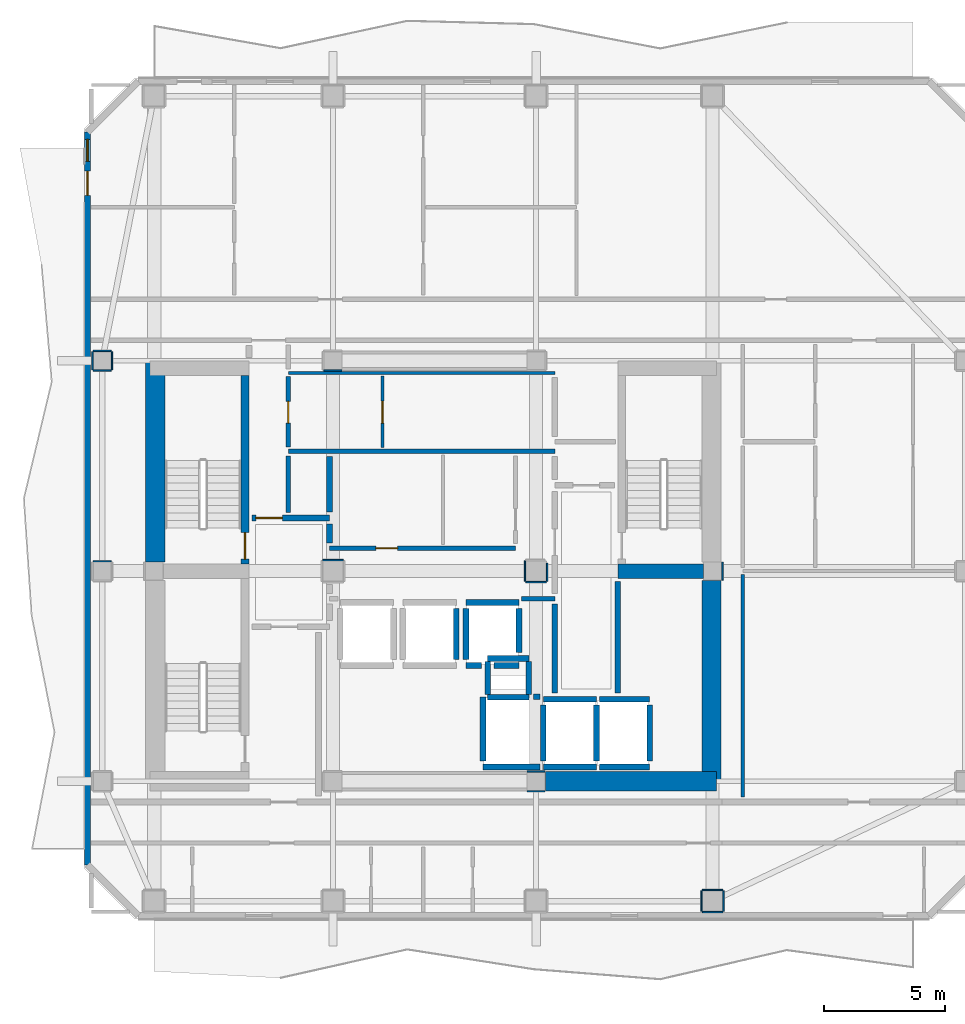
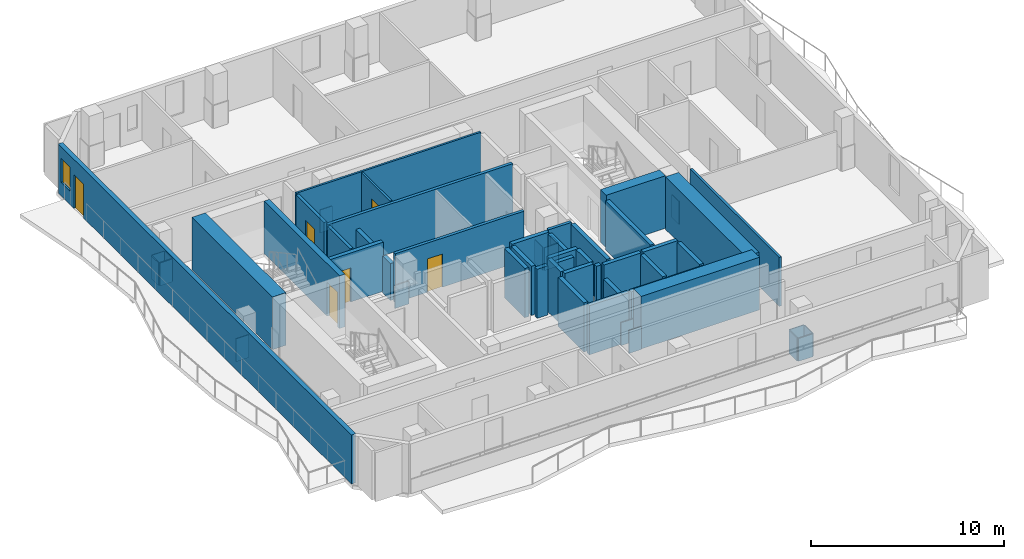
# One storey, part 3 of 9: 56 walls, 6 doors, 1 window, 7 openings.
"""IFC4 building model written with IfcOpenShell, lengths in metres."""

from ifc_helpers import new_model, si_unit, direction, frame, frame_2d, origin, place, context, subcontext, project, spatial, rectangle, extrude, material, layer, layer_set, type_object, element, fill, save


model = new_model("IFC4")

# Units and contexts
model_context = context("Model", 3, precision=1e-05, world=origin(), true_north=direction((0.0, 1.0)))
body_context = subcontext(model_context, "Body", "Model", "MODEL_VIEW")
ifc_project = project(units=[si_unit("LENGTHUNIT", "METRE"), si_unit("AREAUNIT", "SQUARE_METRE"), si_unit("VOLUMEUNIT", "CUBIC_METRE"), si_unit("PLANEANGLEUNIT", "RADIAN"), si_unit("MASSUNIT", "GRAM", prefix="KILO")], contexts=[model_context])

# Site, building, storey
site_placement = place(None, origin())
site = spatial("IfcSite", under=ifc_project, at=site_placement, CompositionType="ELEMENT")
building_placement = place(site_placement, origin())
building = spatial("IfcBuilding", under=site, at=building_placement, Name="Solanera Arch Residences", CompositionType="ELEMENT")
storey_placement = place(building_placement, frame((0.0, 0.0, 237.919921875)))
storey = spatial("IfcBuildingStorey", under=building, at=storey_placement, Name="L69", CompositionType="ELEMENT", Elevation=237.919921875)

# Walls
ifc_material_1 = material(Name="Fire-Rated Gypsum Stud Partition", Category="gypsum")
ifc_layer_1 = layer(ifc_material_1, 0.06005859375)
ifc_layer_set_1 = layer_set([ifc_layer_1], Name="Fire-Rated Gypsum Stud Partition")
wall_type_1 = type_object("IfcWallType", Name="Column Acoustic Furring Wall 60", PredefinedType="PARTITIONING", material=ifc_layer_set_1)
for number, where, z_axis, x_axis, name in (
    (1, (28.8330078125, 21.593017578125, 0.0), (0.0, 0.0, 1.0), (1.0, 0.0, 0.0), "L69 Column Furring 2S"),
    (2, (28.8330078125, 22.406982421875, 0.0), (0.0, 0.0, 1.0), (1.0, 0.0, 0.0), "L69 Column Furring 2N"),
):
    element("IfcWall", number, at=place(storey_placement, frame(where, z_axis=z_axis, x_axis=x_axis)), inside=storey, type_object=wall_type_1, Name=name, PredefinedType="PARTITIONING", context=body_context, shape_type="SweptSolid", body=[
        extrude(rectangle(XDim=0.73388671875, YDim=0.06005859375, at=frame_2d((0.366943359375, 0.0))), origin(), (0.0, 0.0, 1.0), 1.4501953125),
    ])
wall_1_placement = place(storey_placement, frame((20.425048828125, 38.992919921875, 0.0), z_axis=(0.0, 0.0, 1.0), x_axis=(1.0, 0.0, 0.0)))
element("IfcWall", 3, at=wall_1_placement, inside=storey, type_object=wall_type_1, Name="L69 Column Furring 3S", PredefinedType="PARTITIONING", context=body_context, shape_type="SweptSolid", body=[
    extrude(rectangle(XDim=0.741943359375, YDim=0.06005859375, at=frame_2d((0.37109375, 0.0))), origin(), (0.0, 0.0, 1.0), 1.4501953125),
])
wall_2_placement = place(storey_placement, frame((36.906982421875, 30.324951171875, 0.0), z_axis=(0.0, 0.0, 1.0), x_axis=(0.0, 1.0, 0.0)))
element("IfcWall", 4, at=wall_2_placement, inside=storey, type_object=wall_type_1, Name="L69 Column Furring 6E", PredefinedType="PARTITIONING", context=body_context, shape_type="SweptSolid", body=[
    extrude(rectangle(XDim=0.75, YDim=0.06005859375, at=frame_2d((0.375, 0.0))), origin(), (0.0, 0.0, 1.0), 1.4501953125),
])
for number, where, z_axis, x_axis, name in (
    (5, (20.375, 31.156982421875, 0.0), (0.0, 0.0, 1.0), (1.0, 0.0, 0.0), "L69 Column Furring 7N"),
    (6, (28.77490234375, 30.242919921875, 0.0), (0.0, 0.0, 1.0), (1.0, 0.0, 0.0), "L69 Column Furring 8S"),
    (7, (28.742919921875, 30.27490234375, 0.0), (0.0, 0.0, 1.0), (0.0, 1.0, 0.0), "L69 Column Furring 8W"),
):
    element("IfcWall", number, at=place(storey_placement, frame(where, z_axis=z_axis, x_axis=x_axis)), inside=storey, type_object=wall_type_1, Name=name, PredefinedType="PARTITIONING", context=body_context, shape_type="SweptSolid", body=[
        extrude(rectangle(XDim=0.85009765625, YDim=0.06005859375, at=frame_2d((0.425048828125, 0.0))), origin(), (0.0, 0.0, 1.0), 1.4501953125),
    ])
wall_3_placement = place(storey_placement, frame((29.656982421875, 30.27490234375, 0.0), z_axis=(0.0, 0.0, 1.0), x_axis=(0.0, 1.0, 0.0)))
element("IfcWall", 8, at=wall_3_placement, inside=storey, type_object=wall_type_1, Name="L69 Column Furring 8E", PredefinedType="PARTITIONING", context=body_context, shape_type="SweptSolid", body=[
    extrude(rectangle(XDim=0.757080078125, YDim=0.06005859375, at=frame_2d((0.37841796875, 0.0))), origin(), (0.0, 0.0, 1.0), 1.4501953125),
])
for number, where, z_axis, x_axis, name in (
    (9, (36.074951171875, 16.593017578125, 0.0), (0.0, 0.0, 1.0), (1.0, 0.0, 0.0), "L69 Column Furring 15S"),
    (10, (36.074951171875, 17.507080078125, 0.0), (0.0, 0.0, 1.0), (1.0, 0.0, 0.0), "L69 Column Furring 15N"),
    (11, (36.04296875, 16.625, 0.0), (0.0, 0.0, 1.0), (0.0, 1.0, 0.0), "L69 Column Furring 15W"),
    (12, (36.95703125, 16.625, 0.0), (0.0, 0.0, 1.0), (0.0, 1.0, 0.0), "L69 Column Furring 15E"),
):
    element("IfcWall", number, at=place(storey_placement, frame(where, z_axis=z_axis, x_axis=x_axis)), inside=storey, type_object=wall_type_1, Name=name, PredefinedType="PARTITIONING", context=body_context, shape_type="SweptSolid", body=[
        extrude(rectangle(XDim=0.85009765625, YDim=0.06005859375, at=frame_2d((0.425048828125, 0.0))), origin(), (0.0, 0.0, 1.0), 1.4501953125),
    ])
for number, where, z_axis, x_axis, name in (
    (13, (10.875, 31.10693359375, 0.0), (0.0, 0.0, 1.0), (1.0, 0.0, 0.0), "L69 Column Furring 19N"),
    (14, (10.875, 38.992919921875, 0.0), (0.0, 0.0, 1.0), (1.0, 0.0, 0.0), "L69 Column Furring 21S"),
    (15, (10.875, 39.806884765625, 0.0), (0.0, 0.0, 1.0), (1.0, 0.0, 0.0), "L69 Column Furring 21N"),
    (16, (10.843017578125, 39.02490234375, 0.0), (0.0, 0.0, 1.0), (0.0, 1.0, 0.0), "L69 Column Furring 21W"),
    (17, (11.656982421875, 39.02490234375, 0.0), (0.0, 0.0, 1.0), (0.0, 1.0, 0.0), "L69 Column Furring 21E"),
):
    element("IfcWall", number, at=place(storey_placement, frame(where, z_axis=z_axis, x_axis=x_axis)), inside=storey, type_object=wall_type_1, Name=name, PredefinedType="PARTITIONING", context=body_context, shape_type="SweptSolid", body=[
        extrude(rectangle(XDim=0.75, YDim=0.06005859375, at=frame_2d((0.375, 0.0))), origin(), (0.0, 0.0, 1.0), 1.4501953125),
    ])

# Wall, opening, door
ifc_material_2 = material(Name="Concrete C40/50 (f'c = 45 MPa)", Category="concrete")
ifc_layer_2 = layer(ifc_material_2, 0.320068359375)
ifc_layer_set_2 = layer_set([ifc_layer_2], Name="Concrete C40/50 (f'c = 45 MPa)")
wall_type_2 = type_object("IfcWallType", Name="Core Shear Wall CW-320", PredefinedType="SHEAR", material=ifc_layer_set_2)
wall_4_placement = place(storey_placement, frame((17.159912109375, 31.0, 0.0), z_axis=(0.0, 0.0, 1.0), x_axis=(0.0, 1.0, 0.0)))
wall_4 = element("IfcWall", 18, at=wall_4_placement, inside=storey, type_object=wall_type_2, Name="L69 Stair ST-T1 East Shear Wall", PredefinedType="SHEAR", context=body_context, shape_type="SweptSolid", body=[
    extrude(rectangle(XDim=7.800048828125, YDim=0.320068359375, at=frame_2d((3.89990234375, 0.0))), origin(), (0.0, 0.0, 1.0), 3.320068359375),
])
opening_1_placement = place(wall_4_placement, frame((0.18994140625, 0.0, 0.0)))
opening_1 = element("IfcOpeningElement", 19, at=opening_1_placement, cuts=wall_4, Name="Opening DF-01", PredefinedType="OPENING", context=body_context, shape_type="SweptSolid", body=[
    extrude(rectangle(XDim=1.10009765625, YDim=2.14990234375, at=frame_2d((0.550048828125, 1.074951171875))), frame((0.0, 0.169921875, 0.0), z_axis=(0.0, -1.0, 0.0), x_axis=(1.0, 0.0, 0.0)), (0.0, 0.0, 1.0), 0.3401),
])
ifc_material_3 = material(Name="Fire-Rated Architectural Hardwood", Category="wood")
door_type_1 = type_object("IfcDoorType", Name="Stair Exit Fire Door DF-01", OperationType="NOTDEFINED", PredefinedType="DOOR", material=ifc_material_3)
door_1_placement = place(opening_1_placement, origin())
door_1 = element("IfcDoor", 20, at=door_1_placement, inside=storey, type_object=door_type_1, Name="DR-L69-STAIR-ST-T1", OperationType="SINGLE_SWING_LEFT", OverallHeight=2.14990234375, OverallWidth=1.10009765625, PredefinedType="DOOR", context=body_context, shape_type="SweptSolid", body=[
    extrude(rectangle(XDim=1.10009765625, YDim=2.14990234375, at=frame_2d((0.550048828125, 1.074951171875))), frame((0.0, 0.02490234375, 0.0), z_axis=(0.0, -1.0, 0.0), x_axis=(1.0, 0.0, 0.0)), (0.0, 0.0, 1.0), 0.050048828125),
])
fill(opening_1, door_1)

# Walls
ifc_material_4 = material(Name="Concrete C40/50 (f'c = 45 MPa)", Category="concrete")
ifc_layer_3 = layer(ifc_material_4, 0.60009765625)
ifc_layer_set_3 = layer_set([ifc_layer_3], Name="Concrete C40/50 (f'c = 45 MPa)")
wall_type_3 = type_object("IfcWallType", Name="Core Shear Wall CW-600", PredefinedType="SHEAR", material=ifc_layer_set_3)
wall_5_placement = place(storey_placement, frame((32.580078125, 30.699951171875, 0.0), z_axis=(0.0, 0.0, 1.0), x_axis=(1.0, 0.0, 0.0)))
element("IfcWall", 21, at=wall_5_placement, inside=storey, type_object=wall_type_3, Name="L69 East Stair Far-Landing Shear Wall", PredefinedType="SHEAR", context=body_context, shape_type="SweptSolid", body=[
    extrude(rectangle(XDim=3.5400390625, YDim=0.60009765625, at=frame_2d((1.77001953125, 0.0))), origin(), (0.0, 0.0, 1.0), 3.320068359375),
])
ifc_material_5 = material(Name="Concrete C40/50 (f'c = 45 MPa)", Category="concrete")
ifc_layer_4 = layer(ifc_material_5, 0.800048828125)
ifc_layer_set_4 = layer_set([ifc_layer_4], Name="Concrete C40/50 (f'c = 45 MPa)")
wall_type_4 = type_object("IfcWallType", Name="Core Shear Wall CW-800", PredefinedType="SHEAR", material=ifc_layer_set_4)
wall_6_placement = place(storey_placement, frame((13.43994140625, 31.080078125, 0.0), z_axis=(0.0, 0.0, 1.0), x_axis=(0.0, 1.0, 0.0)))
element("IfcWall", 22, at=wall_6_placement, inside=storey, type_object=wall_type_4, Name="L69 West Core North Shear Wall", PredefinedType="SHEAR", context=body_context, shape_type="SweptSolid", body=[
    extrude(rectangle(XDim=8.31982421875, YDim=0.800048828125, at=frame_2d((4.159912109375, 0.0))), origin(), (0.0, 0.0, 1.0), 3.320068359375),
])
wall_7_placement = place(storey_placement, frame((36.4599609375, 22.0, 0.0), z_axis=(0.0, 0.0, 1.0), x_axis=(0.0, 1.0, 0.0)))
element("IfcWall", 23, at=wall_7_placement, inside=storey, type_object=wall_type_4, Name="L69 East Core South Shear Wall", PredefinedType="SHEAR", context=body_context, shape_type="SweptSolid", body=[
    extrude(rectangle(XDim=8.320068359375, YDim=0.800048828125, at=frame_2d((4.16015625, 0.0))), origin(), (0.0, 0.0, 1.0), 3.320068359375),
])
wall_8_placement = place(storey_placement, frame((29.580078125, 22.0, 0.0), z_axis=(0.0, 0.0, 1.0), x_axis=(1.0, 0.0, 0.0)))
element("IfcWall", 24, at=wall_8_placement, inside=storey, type_object=wall_type_4, Name="L69 South-East Core Shear Wall", PredefinedType="SHEAR", context=body_context, shape_type="SweptSolid", body=[
    extrude(rectangle(XDim=7.079833984375, YDim=0.800048828125, at=frame_2d((3.5400390625, 0.0))), origin(), (0.0, 0.0, 1.0), 3.320068359375),
])
ifc_material_6 = material(Name="Autoclaved Aerated Concrete Blockwork", Category="masonry")
ifc_layer_5 = layer(ifc_material_6, 0.179931640625)
ifc_layer_set_5 = layer_set([ifc_layer_5], Name="Autoclaved Aerated Concrete Blockwork")
wall_type_5 = type_object("IfcWallType", Name="Corridor Fire Partition 180", PredefinedType="PARTITIONING", material=ifc_layer_set_5)
wall_9_placement = place(storey_placement, frame((28.593017578125, 29.550048828125, 0.0), z_axis=(0.0, 0.0, 1.0), x_axis=(1.0, 0.0, 0.0)))
element("IfcWall", 25, at=wall_9_placement, inside=storey, type_object=wall_type_5, Name="L69 Interior Partition H7 2", PredefinedType="PARTITIONING", context=body_context, shape_type="SweptSolid", body=[
    extrude(rectangle(XDim=1.382080078125, YDim=0.179931640625, at=frame_2d((0.69091796875, 0.0))), origin(), (0.0, 0.0, 1.0), 3.10009765625),
])

# Wall, opening, door
wall_10_placement = place(storey_placement, frame((20.64990234375, 31.64990234375, 0.0), z_axis=(0.0, 0.0, 1.0), x_axis=(1.0, 0.0, 0.0)))
wall_10 = element("IfcWall", 26, at=wall_10_placement, inside=storey, type_object=wall_type_5, Name="L69 Interior Partition H8", PredefinedType="PARTITIONING", context=body_context, shape_type="SweptSolid", body=[
    extrude(rectangle(XDim=7.7001953125, YDim=0.179931640625, at=frame_2d((3.85009765625, 0.0))), origin(), (0.0, 0.0, 1.0), 3.10009765625),
])
opening_2_placement = place(wall_10_placement, frame((1.924072265625, 0.0, 0.0)))
opening_2 = element("IfcOpeningElement", 27, at=opening_2_placement, cuts=wall_10, Name="Opening DI-02", PredefinedType="OPENING", context=body_context, shape_type="SweptSolid", body=[
    extrude(rectangle(XDim=0.89990234375, YDim=2.10009765625, at=frame_2d((0.449951171875, 1.050048828125))), frame((0.0, 0.10009765625, 0.0), z_axis=(0.0, -1.0, 0.0), x_axis=(1.0, 0.0, 0.0)), (0.0, 0.0, 1.0), 0.1999),
])
ifc_material_7 = material(Name="Fire-Rated Architectural Hardwood", Category="wood")
door_type_2 = type_object("IfcDoorType", Name="Suite Room Swing Door DI-02", OperationType="NOTDEFINED", PredefinedType="DOOR", material=ifc_material_7)
door_2_placement = place(opening_2_placement, origin())
door_2 = element("IfcDoor", 28, at=door_2_placement, inside=storey, type_object=door_type_2, Name="DR-L69-IN-012", OperationType="SINGLE_SWING_RIGHT", OverallHeight=2.10009765625, OverallWidth=0.89990234375, PredefinedType="DOOR", context=body_context, shape_type="SweptSolid", body=[
    extrude(rectangle(XDim=0.89990234375, YDim=2.10009765625, at=frame_2d((0.449951171875, 1.050048828125))), frame((0.0, 0.02490234375, 0.0), z_axis=(0.0, -1.0, 0.0), x_axis=(1.0, 0.0, 0.0)), (0.0, 0.0, 1.0), 0.050048828125),
])
fill(opening_2, door_2)

# Walls
wall_11_placement = place(storey_placement, frame((18.949951171875, 35.64990234375, 0.0), z_axis=(0.0, 0.0, 1.0), x_axis=(1.0, 0.0, 0.0)))
element("IfcWall", 29, at=wall_11_placement, inside=storey, type_object=wall_type_5, Name="L69 Interior Partition H9", PredefinedType="PARTITIONING", context=body_context, shape_type="SweptSolid", body=[
    extrude(rectangle(XDim=11.025146484375, YDim=0.179931640625, at=frame_2d((5.5126953125, 0.0))), origin(), (0.0, 0.0, 1.0), 3.10009765625),
])
wall_12_placement = place(storey_placement, frame((18.949951171875, 33.117919921875, 0.0), z_axis=(0.0, 0.0, 1.0), x_axis=(0.0, 1.0, 0.0)))
element("IfcWall", 30, at=wall_12_placement, inside=storey, type_object=wall_type_5, Name="L69 Interior Partition V8 1", PredefinedType="PARTITIONING", context=body_context, shape_type="SweptSolid", body=[
    extrude(rectangle(XDim=2.343994140625, YDim=0.179931640625, at=frame_2d((1.171875, 0.0))), origin(), (0.0, 0.0, 1.0), 3.10009765625),
])

# Wall, opening, door
wall_13_placement = place(storey_placement, frame((18.949951171875, 35.837890625, 0.0), z_axis=(0.0, 0.0, 1.0), x_axis=(0.0, 1.0, 0.0)))
wall_13 = element("IfcWall", 31, at=wall_13_placement, inside=storey, type_object=wall_type_5, Name="L69 Interior Partition V8 2", PredefinedType="PARTITIONING", context=body_context, shape_type="SweptSolid", body=[
    extrude(rectangle(XDim=2.904052734375, YDim=0.179931640625, at=frame_2d((1.4521484375, 0.0))), origin(), (0.0, 0.0, 1.0), 3.10009765625),
])
opening_3_placement = place(wall_13_placement, frame((0.987060546875, 0.0, 0.0)))
opening_3 = element("IfcOpeningElement", 32, at=opening_3_placement, cuts=wall_13, Name="Opening DI-02", PredefinedType="OPENING", context=body_context, shape_type="SweptSolid", body=[
    extrude(rectangle(XDim=0.89990234375, YDim=2.10009765625, at=frame_2d((0.449951171875, 1.050048828125))), frame((0.0, 0.10009765625, 0.0), z_axis=(0.0, -1.0, 0.0), x_axis=(1.0, 0.0, 0.0)), (0.0, 0.0, 1.0), 0.1999),
])
door_3_placement = place(opening_3_placement, origin())
door_3 = element("IfcDoor", 33, at=door_3_placement, inside=storey, type_object=door_type_2, Name="DR-L69-IN-010", OperationType="SINGLE_SWING_RIGHT", OverallHeight=2.10009765625, OverallWidth=0.89990234375, PredefinedType="DOOR", context=body_context, shape_type="SweptSolid", body=[
    extrude(rectangle(XDim=0.89990234375, YDim=2.10009765625, at=frame_2d((0.449951171875, 1.050048828125))), frame((0.0, 0.02490234375, 0.0), z_axis=(0.0, -1.0, 0.0), x_axis=(1.0, 0.0, 0.0)), (0.0, 0.0, 1.0), 0.050048828125),
])
fill(opening_3, door_3)

# Wall, openings, door, window
ifc_material_8 = material(Name="Precast Concrete C35/45", Category="concrete")
ifc_layer_6 = layer(ifc_material_8, 0.260009765625)
ifc_layer_set_6 = layer_set([ifc_layer_6], Name="Precast Concrete C35/45")
wall_type_6 = type_object("IfcWallType", Name="Exterior Wall Precast Masonry-Frame 260", PredefinedType="STANDARD", material=ifc_layer_set_6)
wall_14_placement = place(storey_placement, frame((10.64501953125, 18.544921875, 0.0), z_axis=(0.0, 0.0, 1.0), x_axis=(0.0, 1.0, 0.0)))
wall_14 = element("IfcWall", 34, at=wall_14_placement, inside=storey, type_object=wall_type_6, Name="L69 Tower Exterior Precast Masonry-Frame Wall W", PredefinedType="STANDARD", context=body_context, shape_type="SweptSolid", body=[
    extrude(rectangle(XDim=30.31005859375, YDim=0.260009765625, at=frame_2d((15.155029296875, 0.0))), origin(), (0.0, 0.0, 1.0), 3.10009765625),
])
opening_4_placement = place(wall_14_placement, frame((27.695068359375, 0.0, 0.0)))
opening_4 = element("IfcOpeningElement", 35, at=opening_4_placement, cuts=wall_14, Name="Opening DB-01", PredefinedType="OPENING", context=body_context, shape_type="SweptSolid", body=[
    extrude(rectangle(XDim=1.0, YDim=2.14990234375, at=frame_2d((0.5, 1.074951171875))), frame((0.0, 0.139892578125, 0.0), z_axis=(0.0, -1.0, 0.0), x_axis=(1.0, 0.0, 0.0)), (0.0, 0.0, 1.0), 0.28),
])
opening_5_placement = place(wall_14_placement, frame((29.10791015625, 0.0, 0.85009765625)))
opening_5 = element("IfcOpeningElement", 36, at=opening_5_placement, cuts=wall_14, Name="Opening W-06", PredefinedType="OPENING", context=body_context, shape_type="SweptSolid", body=[
    extrude(rectangle(XDim=0.89990234375, YDim=1.5, at=frame_2d((0.449951171875, 0.75))), frame((0.0, 0.139892578125, 0.0), z_axis=(0.0, -1.0, 0.0), x_axis=(1.0, 0.0, 0.0)), (0.0, 0.0, 1.0), 0.28),
])
ifc_material_9 = material(Name="Anodised Aluminium Alloy 6063-T6", Category="aluminium")
door_type_3 = type_object("IfcDoorType", Name="Glazed Balcony Swing Door DB-01", OperationType="NOTDEFINED", PredefinedType="DOOR", material=ifc_material_9)
door_4_placement = place(opening_4_placement, origin())
door_4 = element("IfcDoor", 37, at=door_4_placement, inside=storey, type_object=door_type_3, Name="DR-L69-OUT-04", OperationType="SINGLE_SWING_RIGHT", OverallHeight=2.14990234375, OverallWidth=1.0, PredefinedType="DOOR", context=body_context, shape_type="SweptSolid", body=[
    extrude(rectangle(XDim=1.0, YDim=2.14990234375, at=frame_2d((0.5, 1.074951171875))), frame((0.0, 0.02490234375, 0.0), z_axis=(0.0, -1.0, 0.0), x_axis=(1.0, 0.0, 0.0)), (0.0, 0.0, 1.0), 0.050048828125),
])
fill(opening_4, door_4)
ifc_material_10 = material(Name="Double Glazed Low-E Laminated Glass", Category="glass")
window_type = type_object("IfcWindowType", Name="Punched Window W-06", PartitioningType="SINGLE_PANEL", PredefinedType="WINDOW", material=ifc_material_10)
window_placement = place(opening_5_placement, origin())
window = element("IfcWindow", 38, at=window_placement, inside=storey, type_object=window_type, Name="L69 6903-BR1 Punched Window", OverallHeight=1.5, OverallWidth=0.89990234375, PartitioningType="SINGLE_PANEL", PredefinedType="WINDOW", context=body_context, shape_type="SweptSolid", body=[
    extrude(rectangle(XDim=0.89990234375, YDim=1.5, at=frame_2d((0.449951171875, 0.75))), frame((0.0, 0.030029296875, 0.0), z_axis=(0.0, -1.0, 0.0), x_axis=(1.0, 0.0, 0.0)), (0.0, 0.0, 1.0), 0.06005859375),
])
fill(opening_5, window)

# Walls
ifc_material_11 = material(Name="Concrete C40/50 (f'c = 45 MPa)", Category="concrete")
ifc_layer_7 = layer(ifc_material_11, 0.239990234375)
ifc_layer_set_7 = layer_set([ifc_layer_7], Name="Concrete C40/50 (f'c = 45 MPa)")
wall_type_7 = type_object("IfcWallType", Name="Ramp Bearing Shear Wall RW-240", PredefinedType="SHEAR", material=ifc_layer_set_7)
for number, where, z_axis, x_axis, name in (
    (39, (27.199951171875, 25.47998046875, 0.0), (0.0, 0.0, 1.0), (1.0, 0.0, 0.0), "L69 Core MEP Riser South Shaft Wall"),
    (40, (27.199951171875, 27.080078125, 0.0), (0.0, 0.0, 1.0), (1.0, 0.0, 0.0), "L69 Core MEP Riser North Shaft Wall"),
):
    element("IfcWall", number, at=place(storey_placement, frame(where, z_axis=z_axis, x_axis=x_axis)), inside=storey, type_object=wall_type_7, Name=name, PredefinedType="SHEAR", context=body_context, shape_type="SweptSolid", body=[
        extrude(rectangle(XDim=1.699951171875, YDim=0.239990234375, at=frame_2d((0.85009765625, 0.0))), origin(), (0.0, 0.0, 1.0), 3.320068359375),
    ])
for number, where, z_axis, x_axis, name in (
    (41, (27.199951171875, 25.60009765625, 0.0), (0.0, 0.0, 1.0), (0.0, 1.0, 0.0), "L69 Core MEP Riser West Shaft Wall"),
    (42, (28.89990234375, 25.60009765625, 0.0), (0.0, 0.0, 1.0), (0.0, 1.0, 0.0), "L69 Core MEP Riser East Shaft Wall"),
):
    element("IfcWall", number, at=place(storey_placement, frame(where, z_axis=z_axis, x_axis=x_axis)), inside=storey, type_object=wall_type_7, Name=name, PredefinedType="SHEAR", context=body_context, shape_type="SweptSolid", body=[
        extrude(rectangle(XDim=1.35986328125, YDim=0.239990234375, at=frame_2d((0.679931640625, 0.0))), origin(), (0.0, 0.0, 1.0), 3.320068359375),
    ])
ifc_material_12 = material(Name="Autoclaved Aerated Concrete Blockwork", Category="masonry")
ifc_layer_8 = layer(ifc_material_12, 0.239990234375)
ifc_layer_set_8 = layer_set([ifc_layer_8], Name="Autoclaved Aerated Concrete Blockwork")
wall_type_8 = type_object("IfcWallType", Name="Shaft Wall Fire-Rated 240", PredefinedType="PARTITIONING", material=ifc_layer_set_8)
wall_15_placement = place(storey_placement, frame((25.89990234375, 27.048095703125, 0.0), z_axis=(0.0, 0.0, 1.0), x_axis=(0.0, 1.0, 0.0)))
element("IfcWall", 43, at=wall_15_placement, inside=storey, type_object=wall_type_8, Name="L69 Lift PL-H2 Hoistway Wall E", PredefinedType="PARTITIONING", context=body_context, shape_type="SweptSolid", body=[
    extrude(rectangle(XDim=2.10400390625, YDim=0.239990234375, at=frame_2d((1.052001953125, 0.0))), origin(), (0.0, 0.0, 1.0), 3.10009765625),
])
wall_16_placement = place(storey_placement, frame((26.300048828125, 26.800048828125, 0.0), z_axis=(0.0, 0.0, 1.0), x_axis=(1.0, 0.0, 0.0)))
element("IfcWall", 44, at=wall_16_placement, inside=storey, type_object=wall_type_8, Name="L69 Lift PL-H3 Hoistway Wall S 1", PredefinedType="PARTITIONING", context=body_context, shape_type="SweptSolid", body=[
    extrude(rectangle(XDim=0.64990234375, YDim=0.239990234375, at=frame_2d((0.324951171875, 0.0))), origin(), (0.0, 0.0, 1.0), 3.10009765625),
])
wall_17_placement = place(storey_placement, frame((27.449951171875, 26.800048828125, 0.0), z_axis=(0.0, 0.0, 1.0), x_axis=(1.0, 0.0, 0.0)))
element("IfcWall", 45, at=wall_17_placement, inside=storey, type_object=wall_type_8, Name="L69 Lift PL-H3 Hoistway Wall S 2", PredefinedType="PARTITIONING", context=body_context, shape_type="SweptSolid", body=[
    extrude(rectangle(XDim=1.050048828125, YDim=0.239990234375, at=frame_2d((0.52490234375, 0.0))), origin(), (0.0, 0.0, 1.0), 3.10009765625),
])
wall_18_placement = place(storey_placement, frame((26.300048828125, 29.39990234375, 0.0), z_axis=(0.0, 0.0, 1.0), x_axis=(1.0, 0.0, 0.0)))
element("IfcWall", 46, at=wall_18_placement, inside=storey, type_object=wall_type_8, Name="L69 Lift PL-H3 Hoistway Wall N", PredefinedType="PARTITIONING", context=body_context, shape_type="SweptSolid", body=[
    extrude(rectangle(XDim=2.199951171875, YDim=0.239990234375, at=frame_2d((1.10009765625, 0.0))), origin(), (0.0, 0.0, 1.0), 3.10009765625),
])
wall_19_placement = place(storey_placement, frame((26.300048828125, 27.048095703125, 0.0), z_axis=(0.0, 0.0, 1.0), x_axis=(0.0, 1.0, 0.0)))
element("IfcWall", 47, at=wall_19_placement, inside=storey, type_object=wall_type_8, Name="L69 Lift PL-H3 Hoistway Wall W", PredefinedType="PARTITIONING", context=body_context, shape_type="SweptSolid", body=[
    extrude(rectangle(XDim=2.10400390625, YDim=0.239990234375, at=frame_2d((1.052001953125, 0.0))), origin(), (0.0, 0.0, 1.0), 3.10009765625),
])
wall_20_placement = place(storey_placement, frame((28.5, 27.330078125, 0.0), z_axis=(0.0, 0.0, 1.0), x_axis=(0.0, 1.0, 0.0)))
element("IfcWall", 48, at=wall_20_placement, inside=storey, type_object=wall_type_8, Name="L69 Lift PL-H3 Hoistway Wall E", PredefinedType="PARTITIONING", context=body_context, shape_type="SweptSolid", body=[
    extrude(rectangle(XDim=1.822021484375, YDim=0.239990234375, at=frame_2d((0.9111328125, 0.0))), origin(), (0.0, 0.0, 1.0), 3.10009765625),
])
for number, where, z_axis, x_axis, name in (
    (49, (29.5, 22.60009765625, 0.0), (0.0, 0.0, 1.0), (1.0, 0.0, 0.0), "L69 Lift FFL-1 Hoistway Wall S"),
    (50, (29.5, 25.39990234375, 0.0), (0.0, 0.0, 1.0), (1.0, 0.0, 0.0), "L69 Lift FFL-1 Hoistway Wall N"),
):
    element("IfcWall", number, at=place(storey_placement, frame(where, z_axis=z_axis, x_axis=x_axis)), inside=storey, type_object=wall_type_8, Name=name, PredefinedType="PARTITIONING", context=body_context, shape_type="SweptSolid", body=[
        extrude(rectangle(XDim=2.199951171875, YDim=0.239990234375, at=frame_2d((1.10009765625, 0.0))), origin(), (0.0, 0.0, 1.0), 3.10009765625),
    ])
wall_21_placement = place(storey_placement, frame((29.5, 22.847900390625, 0.0), z_axis=(0.0, 0.0, 1.0), x_axis=(0.0, 1.0, 0.0)))
element("IfcWall", 51, at=wall_21_placement, inside=storey, type_object=wall_type_8, Name="L69 Lift FFL-1 Hoistway Wall W", PredefinedType="PARTITIONING", context=body_context, shape_type="SweptSolid", body=[
    extrude(rectangle(XDim=2.30419921875, YDim=0.239990234375, at=frame_2d((1.152099609375, 0.0))), origin(), (0.0, 0.0, 1.0), 2.3349609375),
])
wall_22_placement = place(storey_placement, frame((31.699951171875, 22.847900390625, 0.0), z_axis=(0.0, 0.0, 1.0), x_axis=(0.0, 1.0, 0.0)))
element("IfcWall", 52, at=wall_22_placement, inside=storey, type_object=wall_type_8, Name="L69 Lift FFL-1 Hoistway Wall E", PredefinedType="PARTITIONING", context=body_context, shape_type="SweptSolid", body=[
    extrude(rectangle(XDim=2.30419921875, YDim=0.239990234375, at=frame_2d((1.152099609375, 0.0))), origin(), (0.0, 0.0, 1.0), 3.10009765625),
])
for number, where, z_axis, x_axis, name in (
    (53, (31.827880859375, 22.60009765625, 0.0), (0.0, 0.0, 1.0), (1.0, 0.0, 0.0), "L69 Lift FFL-2 Hoistway Wall S"),
    (54, (31.827880859375, 25.39990234375, 0.0), (0.0, 0.0, 1.0), (1.0, 0.0, 0.0), "L69 Lift FFL-2 Hoistway Wall N"),
):
    element("IfcWall", number, at=place(storey_placement, frame(where, z_axis=z_axis, x_axis=x_axis)), inside=storey, type_object=wall_type_8, Name=name, PredefinedType="PARTITIONING", context=body_context, shape_type="SweptSolid", body=[
        extrude(rectangle(XDim=2.072021484375, YDim=0.239990234375, at=frame_2d((1.0361328125, 0.0))), origin(), (0.0, 0.0, 1.0), 3.10009765625),
    ])
wall_23_placement = place(storey_placement, frame((33.89990234375, 22.847900390625, 0.0), z_axis=(0.0, 0.0, 1.0), x_axis=(0.0, 1.0, 0.0)))
element("IfcWall", 55, at=wall_23_placement, inside=storey, type_object=wall_type_8, Name="L69 Lift FFL-2 Hoistway Wall E", PredefinedType="PARTITIONING", context=body_context, shape_type="SweptSolid", body=[
    extrude(rectangle(XDim=2.30419921875, YDim=0.239990234375, at=frame_2d((1.152099609375, 0.0))), origin(), (0.0, 0.0, 1.0), 3.10009765625),
])
wall_24_placement = place(storey_placement, frame((27.0, 22.60009765625, 0.0), z_axis=(0.0, 0.0, 1.0), x_axis=(1.0, 0.0, 0.0)))
element("IfcWall", 56, at=wall_24_placement, inside=storey, type_object=wall_type_8, Name="L69 Lift SVL-1 Hoistway Wall S", PredefinedType="PARTITIONING", context=body_context, shape_type="SweptSolid", body=[
    extrude(rectangle(XDim=2.3720703125, YDim=0.239990234375, at=frame_2d((1.18603515625, 0.0))), origin(), (0.0, 0.0, 1.0), 3.10009765625),
])
wall_25_placement = place(storey_placement, frame((29.10302734375, 25.5, 0.0), z_axis=(0.0, 0.0, 1.0), x_axis=(1.0, 0.0, 0.0)))
element("IfcWall", 57, at=wall_25_placement, inside=storey, type_object=wall_type_8, Name="L69 Lift SVL-1 Hoistway Wall N", PredefinedType="PARTITIONING", context=body_context, shape_type="SweptSolid", body=[
    extrude(rectangle(XDim=0.26904296875, YDim=0.239990234375, at=frame_2d((0.134521484375, 0.0))), origin(), (0.0, 0.0, 1.0), 3.10009765625),
])
wall_26_placement = place(storey_placement, frame((27.0, 22.847900390625, 0.0), z_axis=(0.0, 0.0, 1.0), x_axis=(0.0, 1.0, 0.0)))
element("IfcWall", 58, at=wall_26_placement, inside=storey, type_object=wall_type_8, Name="L69 Lift SVL-1 Hoistway Wall W", PredefinedType="PARTITIONING", context=body_context, shape_type="SweptSolid", body=[
    extrude(rectangle(XDim=2.650146484375, YDim=0.239990234375, at=frame_2d((1.3251953125, 0.0))), origin(), (0.0, 0.0, 1.0), 3.10009765625),
])

# Wall, opening, door
wall_27_placement = place(storey_placement, frame((17.449951171875, 32.89990234375, 0.0), z_axis=(0.0, 0.0, 1.0), x_axis=(1.0, 0.0, 0.0)))
wall_27 = element("IfcWall", 59, at=wall_27_placement, inside=storey, type_object=wall_type_8, Name="L69 Interior Partition H4", PredefinedType="PARTITIONING", context=body_context, shape_type="SweptSolid", body=[
    extrude(rectangle(XDim=3.199951171875, YDim=0.239990234375, at=frame_2d((1.60009765625, 0.0))), origin(), (0.0, 0.0, 1.0), 3.10009765625),
])
opening_6_placement = place(wall_27_placement, frame((0.158935546875, 0.0, 0.0)))
opening_6 = element("IfcOpeningElement", 60, at=opening_6_placement, cuts=wall_27, Name="Opening DF-02", PredefinedType="OPENING", context=body_context, shape_type="SweptSolid", body=[
    extrude(rectangle(XDim=1.10009765625, YDim=2.14990234375, at=frame_2d((0.550048828125, 1.074951171875))), frame((0.0, 0.1298828125, 0.0), z_axis=(0.0, -1.0, 0.0), x_axis=(1.0, 0.0, 0.0)), (0.0, 0.0, 1.0), 0.26),
])
ifc_material_13 = material(Name="Fire-Rated Architectural Hardwood", Category="wood")
door_type_4 = type_object("IfcDoorType", Name="Firefighting Lobby Fire Door DF-02", OperationType="NOTDEFINED", PredefinedType="DOOR", material=ifc_material_13)
door_5_placement = place(opening_6_placement, origin())
door_5 = element("IfcDoor", 61, at=door_5_placement, inside=storey, type_object=door_type_4, Name="DR-L69-IN-005", OperationType="SINGLE_SWING_LEFT", OverallHeight=2.14990234375, OverallWidth=1.10009765625, PredefinedType="DOOR", context=body_context, shape_type="SweptSolid", body=[
    extrude(rectangle(XDim=1.10009765625, YDim=2.14990234375, at=frame_2d((0.550048828125, 1.074951171875))), frame((0.0, 0.02490234375, 0.0), z_axis=(0.0, -1.0, 0.0), x_axis=(1.0, 0.0, 0.0)), (0.0, 0.0, 1.0), 0.050048828125),
])
fill(opening_6, door_5)

# Walls
wall_28_placement = place(storey_placement, frame((20.64990234375, 31.867919921875, 0.0), z_axis=(0.0, 0.0, 1.0), x_axis=(0.0, 1.0, 0.0)))
element("IfcWall", 62, at=wall_28_placement, inside=storey, type_object=wall_type_8, Name="L69 Interior Partition V3 3", PredefinedType="PARTITIONING", context=body_context, shape_type="SweptSolid", body=[
    extrude(rectangle(XDim=0.7841796875, YDim=0.239990234375, at=frame_2d((0.39208984375, 0.0))), origin(), (0.0, 0.0, 1.0), 2.3349609375),
])
wall_29_placement = place(storey_placement, frame((20.64990234375, 33.14794921875, 0.0), z_axis=(0.0, 0.0, 1.0), x_axis=(0.0, 1.0, 0.0)))
element("IfcWall", 63, at=wall_29_placement, inside=storey, type_object=wall_type_8, Name="L69 Interior Partition V3 4", PredefinedType="PARTITIONING", context=body_context, shape_type="SweptSolid", body=[
    extrude(rectangle(XDim=2.283935546875, YDim=0.239990234375, at=frame_2d((1.14208984375, 0.0))), origin(), (0.0, 0.0, 1.0), 2.3349609375),
])
wall_30_placement = place(storey_placement, frame((29.97509765625, 25.64794921875, 0.0), z_axis=(0.0, 0.0, 1.0), x_axis=(0.0, 1.0, 0.0)))
element("IfcWall", 64, at=wall_30_placement, inside=storey, type_object=wall_type_8, Name="L69 Interior Partition V4 1", PredefinedType="PARTITIONING", context=body_context, shape_type="SweptSolid", body=[
    extrude(rectangle(XDim=3.68408203125, YDim=0.239990234375, at=frame_2d((1.842041015625, 0.0))), origin(), (0.0, 0.0, 1.0), 3.10009765625),
])
wall_31_placement = place(storey_placement, frame((32.580078125, 25.64794921875, 0.0), z_axis=(0.0, 0.0, 1.0), x_axis=(0.0, 1.0, 0.0)))
element("IfcWall", 65, at=wall_31_placement, inside=storey, type_object=wall_type_8, Name="L69 Interior Partition V5", PredefinedType="PARTITIONING", context=body_context, shape_type="SweptSolid", body=[
    extrude(rectangle(XDim=4.6220703125, YDim=0.239990234375, at=frame_2d((2.31103515625, 0.0))), origin(), (0.0, 0.0, 1.0), 3.10009765625),
])
ifc_material_14 = material(Name="Fire-Rated Gypsum Stud Partition", Category="gypsum")
ifc_layer_9 = layer(ifc_material_14, 0.1201171875)
ifc_layer_set_9 = layer_set([ifc_layer_9], Name="Fire-Rated Gypsum Stud Partition")
wall_type_9 = type_object("IfcWallType", Name="Unit Drywall Partition 120", PredefinedType="PARTITIONING", material=ifc_layer_set_9)
wall_32_placement = place(storey_placement, frame((18.949951171875, 38.89990234375, 0.0), z_axis=(0.0, 0.0, 1.0), x_axis=(1.0, 0.0, 0.0)))
element("IfcWall", 66, at=wall_32_placement, inside=storey, type_object=wall_type_9, Name="L69 Interior Partition H18", PredefinedType="PARTITIONING", context=body_context, shape_type="SweptSolid", body=[
    extrude(rectangle(XDim=11.025146484375, YDim=0.1201171875, at=frame_2d((5.5126953125, 0.0))), origin(), (0.0, 0.0, 1.0), 3.10009765625),
])

# Wall, opening, door
wall_33_placement = place(storey_placement, frame((22.85009765625, 35.80810546875, 0.0), z_axis=(0.0, 0.0, 1.0), x_axis=(0.0, 1.0, 0.0)))
wall_33 = element("IfcWall", 67, at=wall_33_placement, inside=storey, type_object=wall_type_9, Name="L69 Interior Partition V19", PredefinedType="PARTITIONING", context=body_context, shape_type="SweptSolid", body=[
    extrude(rectangle(XDim=2.9638671875, YDim=0.1201171875, at=frame_2d((1.48193359375, 0.0))), origin(), (0.0, 0.0, 1.0), 3.10009765625),
])
opening_7_placement = place(wall_33_placement, frame((1.01708984375, 0.0, 0.0)))
opening_7 = element("IfcOpeningElement", 68, at=opening_7_placement, cuts=wall_33, Name="Opening DI-02", PredefinedType="OPENING", context=body_context, shape_type="SweptSolid", body=[
    extrude(rectangle(XDim=0.89990234375, YDim=2.10009765625, at=frame_2d((0.449951171875, 1.050048828125))), frame((0.0, 0.070068359375, 0.0), z_axis=(0.0, -1.0, 0.0), x_axis=(1.0, 0.0, 0.0)), (0.0, 0.0, 1.0), 0.1401),
])
door_6_placement = place(opening_7_placement, origin())
door_6 = element("IfcDoor", 69, at=door_6_placement, inside=storey, type_object=door_type_2, Name="DR-L69-IN-011", OperationType="SINGLE_SWING_LEFT", OverallHeight=2.10009765625, OverallWidth=0.89990234375, PredefinedType="DOOR", context=body_context, shape_type="SweptSolid", body=[
    extrude(rectangle(XDim=0.89990234375, YDim=2.10009765625, at=frame_2d((0.449951171875, 1.050048828125))), frame((0.0, 0.02490234375, 0.0), z_axis=(0.0, -1.0, 0.0), x_axis=(1.0, 0.0, 0.0)), (0.0, 0.0, 1.0), 0.050048828125),
])
fill(opening_7, door_6)

# Wall
ifc_material_15 = material(Name="Autoclaved Aerated Concrete Blockwork", Category="masonry")
ifc_layer_10 = layer(ifc_material_15, 0.139892578125)
ifc_layer_set_10 = layer_set([ifc_layer_10], Name="Autoclaved Aerated Concrete Blockwork")
wall_type_10 = type_object("IfcWallType", Name="Wet-Room Partition 140", PredefinedType="PARTITIONING", material=ifc_layer_set_10)
wall_34_placement = place(storey_placement, frame((37.75, 21.347900390625, 0.0), z_axis=(0.0, 0.0, 1.0), x_axis=(0.0, 1.0, 0.0)))
element("IfcWall", 70, at=wall_34_placement, inside=storey, type_object=wall_type_10, Name="L69 Interior Partition V16 1", PredefinedType="PARTITIONING", context=body_context, shape_type="SweptSolid", body=[
    extrude(rectangle(XDim=9.214111328125, YDim=0.139892578125, at=frame_2d((4.60693359375, 0.0))), origin(), (0.0, 0.0, 1.0), 3.10009765625),
])

save(model, "model.ifc")
